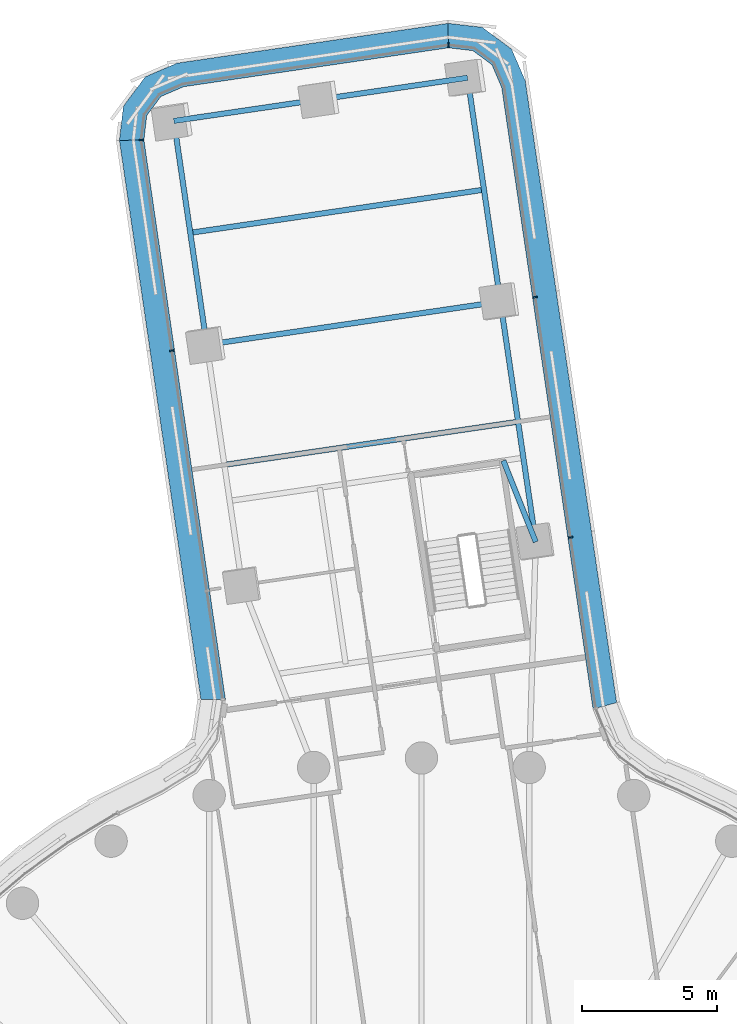
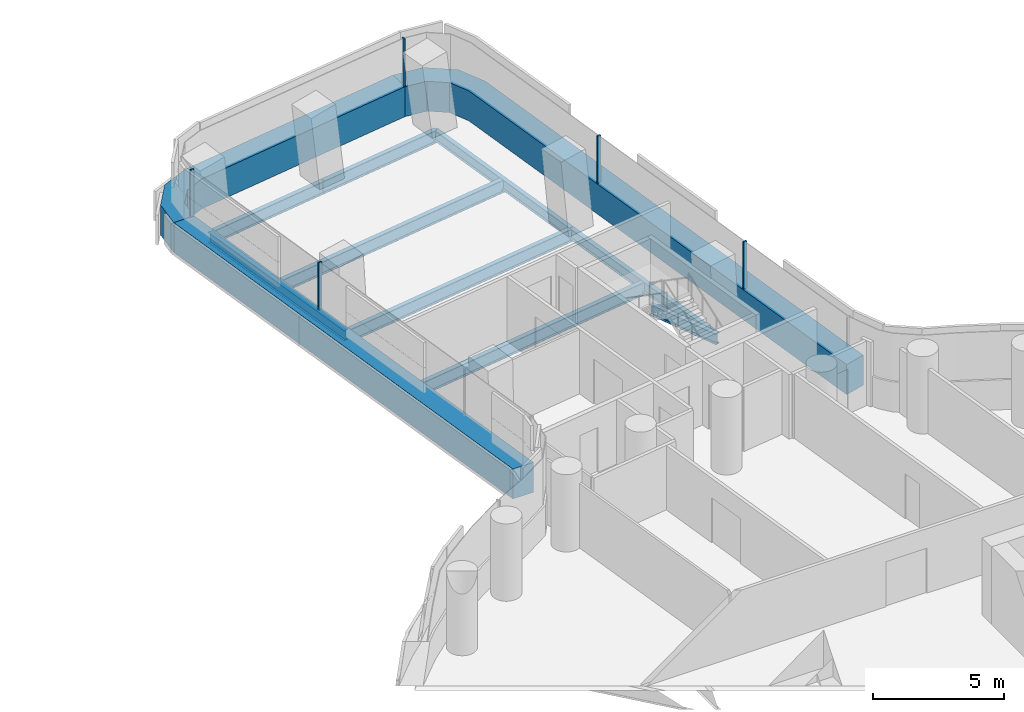
# One storey, part 15 of 31: 9 beams, 8 members, 3 elements without a shape of their own.
"""IFC4 building model written with IfcOpenShell, lengths in metres."""

from ifc_helpers import new_model, si_unit, direction, frame, origin, origin_2d, place, context, subcontext, project, spatial, polyline, rectangle, i_section, outline, extrude, material, layer, layer_set, material_profile, profile_set, type_object, element, aggregate, save


model = new_model("IFC4")

# Units and contexts
model_context = context("Model", 3, precision=1e-05, world=origin(), true_north=direction((0.0, 1.0)))
body_context = subcontext(model_context, "Body", "Model", "MODEL_VIEW")
ifc_project = project(units=[si_unit("LENGTHUNIT", "METRE"), si_unit("AREAUNIT", "SQUARE_METRE"), si_unit("VOLUMEUNIT", "CUBIC_METRE"), si_unit("PLANEANGLEUNIT", "RADIAN"), si_unit("MASSUNIT", "GRAM", prefix="KILO")], contexts=[model_context])

# Site, building, storey
site_placement = place(None, origin())
site = spatial("IfcSite", under=ifc_project, at=site_placement, CompositionType="ELEMENT")
building_placement = place(site_placement, origin())
building = spatial("IfcBuilding", under=site, at=building_placement, Name="Tamarind Cross Interchange Tower", CompositionType="ELEMENT")
storey_placement = place(building_placement, frame((0.0, 0.0, 64.0)))
storey = spatial("IfcBuildingStorey", under=building, at=storey_placement, Name="L14", CompositionType="ELEMENT", Elevation=64.0)

# Beams
ifc_material_1 = material(Name="Steel Q355B", Category="steel")
ifc_material_profile_1 = material_profile(ifc_material_1, i_section(OverallWidth=0.198974609375, OverallDepth=0.49609375, WebThickness=0.009033203125, FlangeThickness=0.013916015625, FilletRadius=0.012939453125, at=origin_2d()), Name="HN 496x199x9x14")
ifc_profile_set_1 = profile_set([ifc_material_profile_1], Name="Steel Q355B")
beam_type_1 = type_object("IfcBeamType", Name="Composite beam HN 496x199x9x14 Q355B", PredefinedType="BEAM", material=ifc_profile_set_1)
beam_1_placement = place(storey_placement, frame((1.708251953125, 48.209228515625, -0.387939453125), z_axis=(0.145363185388, -0.989378362576, 0.0), x_axis=(0.989378362576, 0.145363185388, 0.0)))
element("IfcBeam", 1, at=beam_1_placement, inside=storey, type_object=beam_type_1, Name="Beam N-edgeem5", PredefinedType="BEAM", context=body_context, shape_type="SweptSolid", body=[
    extrude(i_section(OverallWidth=0.198974609375, OverallDepth=0.49609375, WebThickness=0.009033203125, FlangeThickness=0.013916015625, FilletRadius=0.012939453125, at=origin_2d()), origin(), (0.0, 0.0, 1.0), 8.382568359375),
])
beam_2_placement = place(storey_placement, frame((2.9267578125, 39.915771484375, -0.387939453125), z_axis=(0.145369819361, -0.989377387865, 0.0), x_axis=(0.989377387865, 0.145369819361, 0.0)))
element("IfcBeam", 2, at=beam_2_placement, inside=storey, type_object=beam_type_1, Name="Beam N-edgeem6", PredefinedType="BEAM", context=body_context, shape_type="SweptSolid", body=[
    extrude(i_section(OverallWidth=0.198974609375, OverallDepth=0.49609375, WebThickness=0.009033203125, FlangeThickness=0.013916015625, FilletRadius=0.012939453125, at=origin_2d()), origin(), (0.0, 0.0, 1.0), 9.000244140625),
])
beam_3_placement = place(storey_placement, frame((-9.175048828125, 46.6103515625, -0.387939453125), z_axis=(0.145387505433, -0.989374789078, 0.0), x_axis=(0.989374789078, 0.145387505433, 0.0)))
element("IfcBeam", 3, at=beam_3_placement, inside=storey, type_object=beam_type_1, Name="Beam N-edgeep2", PredefinedType="BEAM", context=body_context, shape_type="SweptSolid", body=[
    extrude(i_section(OverallWidth=0.198974609375, OverallDepth=0.49609375, WebThickness=0.009033203125, FlangeThickness=0.013916015625, FilletRadius=0.012939453125, at=origin_2d()), origin(), (0.0, 0.0, 1.0), 8.3828125),
])
beam_4_placement = place(storey_placement, frame((4.235107421875, 31.01123046875, -0.387939453125), z_axis=(-0.370571574812, 0.928803912535, 0.0), x_axis=(-0.928803912535, -0.370571574812, 0.0)))
element("IfcBeam", 4, at=beam_4_placement, inside=storey, type_object=beam_type_1, Name="Beam N-tr0", PredefinedType="BEAM", context=body_context, shape_type="SweptSolid", body=[
    extrude(i_section(OverallWidth=0.198974609375, OverallDepth=0.49609375, WebThickness=0.009033203125, FlangeThickness=0.013916015625, FilletRadius=0.012939453125, at=origin_2d()), origin(), (0.0, 0.0, 1.0), 3.238037109375),
])
ifc_material_profile_2 = material_profile(ifc_material_1, i_section(OverallWidth=0.199951171875, OverallDepth=0.60009765625, WebThickness=0.010986328125, FlangeThickness=0.01708984375, FilletRadius=0.012939453125, at=origin_2d()), Name="HN 600x200x11x17")
ifc_profile_set_2 = profile_set([ifc_material_profile_2], Name="Steel Q355B")
beam_type_2 = type_object("IfcBeamType", Name="Composite beam HN 600x200x11x17 Q355B", PredefinedType="BEAM", material=ifc_profile_set_2)
for number, where, z_axis, x_axis, name in (
    (5, (1.708251953125, 48.209228515625, -0.43994140625), (-0.98938336449, -0.145329137033, 0.0), (0.145329137033, -0.98938336449, 0.0), "Beam N-tip0"),
    (6, (-3.7333984375, 47.409912109375, -0.43994140625), (-0.98937698107, -0.145372587958, 0.0), (0.145372587958, -0.98937698107, 0.0), "Beam N-tip1"),
):
    element("IfcBeam", number, at=place(storey_placement, frame(where, z_axis=z_axis, x_axis=x_axis)), inside=storey, type_object=beam_type_2, Name=name, PredefinedType="BEAM", context=body_context, shape_type="SweptSolid", body=[
        extrude(i_section(OverallWidth=0.199951171875, OverallDepth=0.60009765625, WebThickness=0.010986328125, FlangeThickness=0.01708984375, FilletRadius=0.012939453125, at=origin_2d()), origin(), (0.0, 0.0, 1.0), 5.5),
    ])
for number, where, z_axis, x_axis, name in (
    (7, (2.9267578125, 39.915771484375, -0.43994140625), (-0.989376512018, -0.145375780194, 0.0), (0.145375780194, -0.989376512018, 0.0), "Beam N-x393"),
    (8, (3.580810546875, 35.463623046875, -0.43994140625), (-0.989376512018, -0.145375780194, 0.0), (0.145375780194, -0.989376512018, 0.0), "Beam N-x348"),
    (9, (2.3173828125, 44.0625, -0.43994140625), (-0.989379704095, -0.14535405438, 0.0), (0.14535405438, -0.989379704095, 0.0), "Beam N-x435"),
):
    element("IfcBeam", number, at=place(storey_placement, frame(where, z_axis=z_axis, x_axis=x_axis)), inside=storey, type_object=beam_type_2, Name=name, PredefinedType="BEAM", context=body_context, shape_type="SweptSolid", body=[
        extrude(i_section(OverallWidth=0.199951171875, OverallDepth=0.60009765625, WebThickness=0.010986328125, FlangeThickness=0.01708984375, FilletRadius=0.012939453125, at=origin_2d()), origin(), (0.0, 0.0, 1.0), 11.0),
    ])

# Curtain wall, member
ifc_material_2 = material(Name="Aluminium 6063-T6", Category="aluminium")
ifc_layer = layer(ifc_material_2, 0.159912109375)
ifc_layer_set = layer_set([ifc_layer], Name="Aluminium 6063-T6")
curtain_wall_type = type_object("IfcCurtainWallType", Name="Office curtain wall, 9.0 m bays", PredefinedType="NOTDEFINED", material=ifc_layer_set)
curtain_wall_1_placement = place(storey_placement, origin())
curtain_wall_1 = element("IfcCurtainWall", 10, at=curtain_wall_1_placement, inside=storey, type_object=curtain_wall_type, Name="CWS-L14-11", PredefinedType="NOTDEFINED")
ifc_material_3 = material(Name="Aluminium and insulated spandrel panel", Category="aluminium")
member_type_1 = type_object("IfcMemberType", Name="Floor-edge blade transom", PredefinedType="USERDEFINED", material=ifc_material_3)
member_1_placement = place(storey_placement, origin())
member_1 = element("IfcMember", 11, at=member_1_placement, type_object=member_type_1, Name="CWT-L14-11", ObjectType="TRANSOM", PredefinedType="USERDEFINED", context=body_context, shape_type="SweptSolid", body=[
    extrude(outline(polyline([(6.3583984375, 24.815185546875), (2.973876953125, 47.85009765625), (2.611083984375, 48.6904296875), (1.9091796875, 49.21240234375), (1.0, 49.318115234375), (0.986328125, 50.225830078125), (2.2529296875, 50.078369140625), (3.341552734375, 49.2685546875), (3.84716796875, 48.09814453125), (7.23291015625, 25.052978515625), (6.3583984375, 24.815185546875)])), origin(), (0.0, 0.0, 1.0), 1.39990234375),
])

curtain_wall_2_placement = place(storey_placement, origin())
curtain_wall_2 = element("IfcCurtainWall", 12, at=curtain_wall_2_placement, inside=storey, type_object=curtain_wall_type, Name="CWS-L14-12", PredefinedType="NOTDEFINED")
member_2_placement = place(storey_placement, origin())
member_2 = element("IfcMember", 13, at=member_2_placement, type_object=member_type_1, Name="CWT-L14-12", ObjectType="TRANSOM", PredefinedType="USERDEFINED", context=body_context, shape_type="SweptSolid", body=[
    extrude(outline(polyline([(1.0, 49.318115234375), (-8.815673828125, 47.8759765625), (-9.656005859375, 47.51318359375), (-10.177978515625, 46.811279296875), (-10.28369140625, 45.90185546875), (-11.19140625, 45.888916015625), (-11.0439453125, 47.155029296875), (-10.234130859375, 48.24365234375), (-9.063720703125, 48.749267578125), (0.986328125, 50.225830078125), (1.0, 49.318115234375)])), origin(), (0.0, 0.0, 1.0), 1.39990234375),
])

curtain_wall_3_placement = place(storey_placement, origin())
curtain_wall_3 = element("IfcCurtainWall", 14, at=curtain_wall_3_placement, inside=storey, type_object=curtain_wall_type, Name="CWS-L14-13", PredefinedType="NOTDEFINED")
member_3_placement = place(storey_placement, origin())
member_3 = element("IfcMember", 15, at=member_3_placement, type_object=member_type_1, Name="CWT-L14-13", ObjectType="TRANSOM", PredefinedType="USERDEFINED", context=body_context, shape_type="SweptSolid", body=[
    extrude(outline(polyline([(-10.28369140625, 45.90185546875), (-7.263916015625, 25.17724609375), (-8.173583984375, 25.177978515625), (-11.19140625, 45.888916015625), (-10.28369140625, 45.90185546875)])), origin(), (0.0, 0.0, 1.0), 1.39990234375),
])

# Member
ifc_material_profile_3 = material_profile(ifc_material_2, rectangle(XDim=0.06005859375, YDim=0.159912109375, at=origin_2d()), Name="Mullion CW1")
ifc_profile_set_3 = profile_set([ifc_material_profile_3], Name="Aluminium 6063-T6")
member_type_2 = type_object("IfcMemberType", Name="Mullion CW1", PredefinedType="MULLION", material=ifc_profile_set_3)
member_4_placement = place(storey_placement, frame((5.52490234375, 31.176025390625, 1.39990234375), z_axis=(0.0, 0.0, 1.0), x_axis=(-0.14536472205, 0.989378136803, 0.0)))
member_4 = element("IfcMember", 16, at=member_4_placement, type_object=member_type_2, Name="CWM-L14-11-01", PredefinedType="MULLION", context=body_context, shape_type="SweptSolid", body=[
    extrude(rectangle(XDim=0.06005859375, YDim=0.159912109375, at=origin_2d()), origin(), (0.0, 0.0, 1.0), 2.210205078125),
])

member_5_placement = place(storey_placement, frame((4.216552734375, 40.07958984375, 1.39990234375), z_axis=(0.0, 0.0, 1.0), x_axis=(-0.14536472205, 0.989378136803, 0.0)))
member_5 = element("IfcMember", 17, at=member_5_placement, type_object=member_type_2, Name="CWM-L14-11-02", PredefinedType="MULLION", context=body_context, shape_type="SweptSolid", body=[
    extrude(rectangle(XDim=0.06005859375, YDim=0.159912109375, at=origin_2d()), origin(), (0.0, 0.0, 1.0), 2.210205078125),
])

aggregate(curtain_wall_1, [member_4, member_5, member_1])

member_6_placement = place(storey_placement, frame((0.99853515625, 49.4189453125, 1.39990234375), z_axis=(0.0, 0.0, 1.0), x_axis=(-0.999887773341, -0.014981345838, 0.0)))
member_6 = element("IfcMember", 18, at=member_6_placement, type_object=member_type_2, Name="CWM-L14-12-00", PredefinedType="MULLION", context=body_context, shape_type="SweptSolid", body=[
    extrude(rectangle(XDim=0.06005859375, YDim=0.159912109375, at=origin_2d()), origin(), (0.0, 0.0, 1.0), 2.210205078125),
])

aggregate(curtain_wall_2, [member_6, member_2])

member_7_placement = place(storey_placement, frame((-10.384521484375, 45.900390625, 1.39990234375), z_axis=(0.0, 0.0, 1.0), x_axis=(0.014386141659, -0.999896514109, 0.0)))
member_7 = element("IfcMember", 19, at=member_7_placement, type_object=member_type_2, Name="CWM-L14-13-00", PredefinedType="MULLION", context=body_context, shape_type="SweptSolid", body=[
    extrude(rectangle(XDim=0.06005859375, YDim=0.159912109375, at=origin_2d()), origin(), (0.0, 0.0, 1.0), 2.210205078125),
])

member_8_placement = place(storey_placement, frame((-9.247802734375, 38.09912109375, 1.39990234375), z_axis=(0.0, 0.0, 1.0), x_axis=(0.144186728298, -0.989550497642, 0.0)))
member_8 = element("IfcMember", 20, at=member_8_placement, type_object=member_type_2, Name="CWM-L14-13-01", PredefinedType="MULLION", context=body_context, shape_type="SweptSolid", body=[
    extrude(rectangle(XDim=0.06005859375, YDim=0.159912109375, at=origin_2d()), origin(), (0.0, 0.0, 1.0), 2.210205078125),
])

aggregate(curtain_wall_3, [member_7, member_8, member_3])

save(model, "model.ifc")
